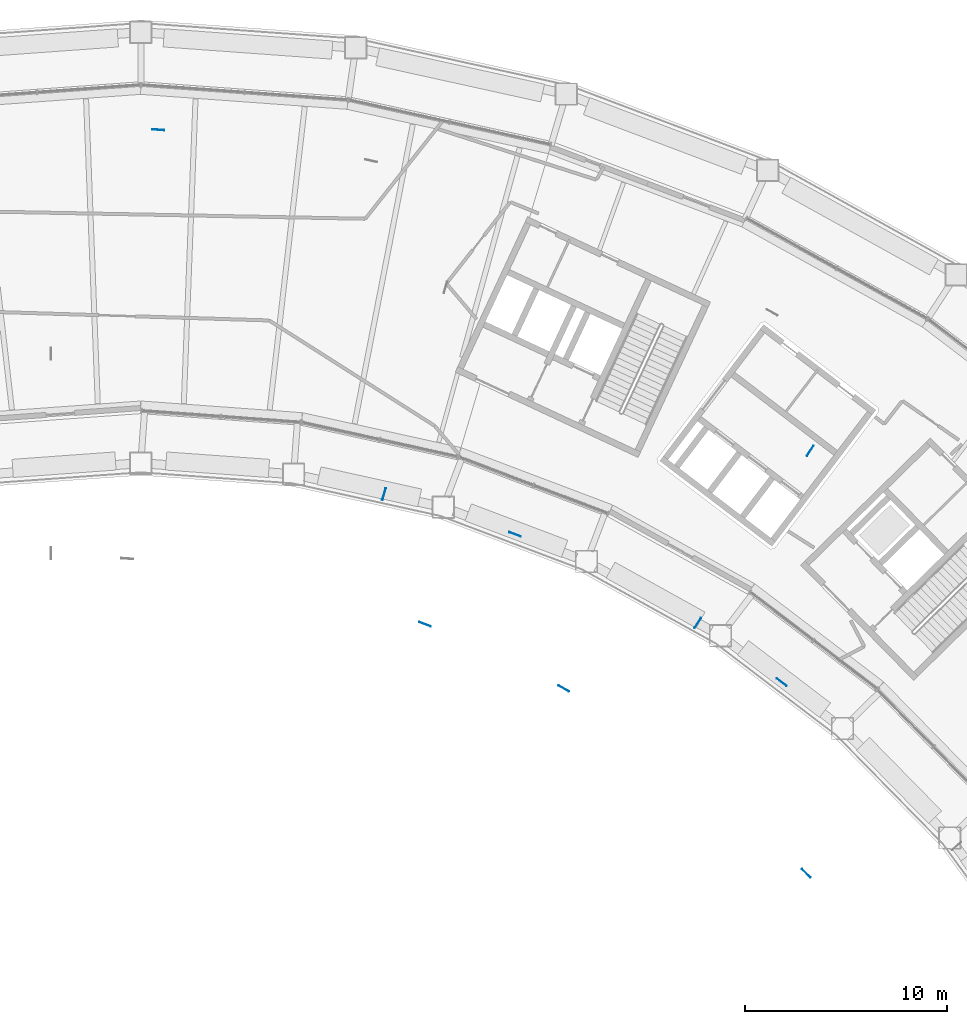
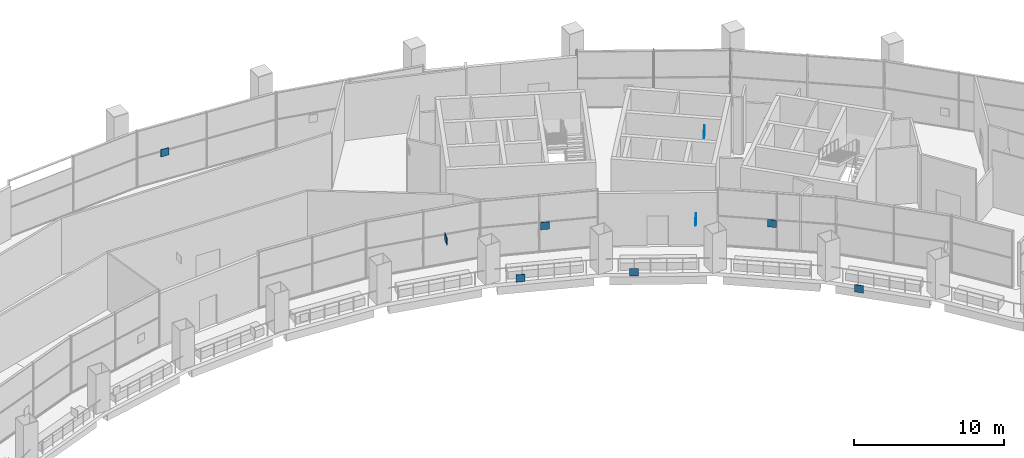
# One storey, part 23 of 28: 9 discrete accessories.
"""IFC4 building model written with IfcOpenShell, lengths in metres."""

import ifcopenshell
import ifcopenshell.guid

model = None  # the IFC model being written
_history = None  # IfcOwnerHistory: only IFC2X3 demands one
_inside = {}  # id of a spatial element -> (the spatial element, [elements in it])
_under = {}  # id of a project, library or spatial element -> (it, [spatial elements below it])
_declared = {}  # id of a project -> (the project, [libraries it declares])
_typed = {}  # id of a type object -> (the type object, [elements of that type])
_made_of = {}  # id of a material, layer set ... -> (it, [elements and type objects made of it])


def new_model(schema):
    """Start an empty IFC model of exactly this schema.

    Asked for "IFC4X3", IfcOpenShell would pick the latest addendum, in which some entities
    have other attributes; the version numbers below select the first issue.
    IFC2X3 requires an IfcOwnerHistory on every rooted entity: one is made here for all.
    """
    global model, _history
    if schema == "IFC4X3":
        model = ifcopenshell.file(schema_version=(4, 3, 0, 0))
    else:
        model = ifcopenshell.file(schema=schema)
    _inside.clear()
    _under.clear()
    _declared.clear()
    _typed.clear()
    _made_of.clear()
    _history = None
    if model.schema == "IFC2X3":
        org = make("IfcOrganization", Name="unknown")
        user = make(
            "IfcPersonAndOrganization",
            ThePerson=make("IfcPerson", FamilyName="unknown"),
            TheOrganization=org,
        )
        app = make(
            "IfcApplication",
            ApplicationDeveloper=org,
            Version="unknown",
            ApplicationFullName="unknown",
            ApplicationIdentifier="unknown",
        )
        _history = make(
            "IfcOwnerHistory",
            OwningUser=user,
            OwningApplication=app,
            ChangeAction="ADDED",
            CreationDate=0,
        )
    return model


def make(cls, **values):
    """One entity of the class cls with the attributes given. An attribute that is None is left unset."""
    return model.create_entity(
        cls, **{name: value for name, value in values.items() if value is not None}
    )


def rooted(cls, **values):
    """An entity with a GlobalId (a new one), such as an element, a storey or a relation."""
    return make(cls, GlobalId=ifcopenshell.guid.new(), OwnerHistory=_history, **values)


def si_unit(unit_type, name, prefix=None):
    """IfcSIUnit, for example si_unit("LENGTHUNIT", "METRE", prefix="MILLI")."""
    return make("IfcSIUnit", UnitType=unit_type, Prefix=prefix, Name=name)


def assignment(units):
    """IfcUnitAssignment: the units of a project."""
    return None if units is None else make("IfcUnitAssignment", Units=units)


def point(xyz):
    """IfcCartesianPoint."""
    return None if xyz is None else make("IfcCartesianPoint", Coordinates=xyz)


def direction(xyz):
    """IfcDirection."""
    return None if xyz is None else make("IfcDirection", DirectionRatios=xyz)


def frame(location, z_axis=None, x_axis=None):
    """IfcAxis2Placement3D, a coordinate frame: its origin and axes. An axis left out is left unset."""
    return make(
        "IfcAxis2Placement3D",
        Location=point(location),
        Axis=direction(z_axis),
        RefDirection=direction(x_axis),
    )


def frame_2d(location, x_axis=None):
    """IfcAxis2Placement2D, a coordinate frame in the plane: its origin and x axis."""
    return make(
        "IfcAxis2Placement2D", Location=point(location), RefDirection=direction(x_axis)
    )


def origin():
    """The frame at (0, 0, 0) with its axes left unset."""
    return frame((0.0, 0.0, 0.0))


def origin_2d():
    """The frame at (0, 0) in the plane with its x axis left unset."""
    return frame_2d((0.0, 0.0))


def place(relative_to, where):
    """IfcLocalPlacement: puts the frame where relative to a parent placement (None: the world)."""
    return make(
        "IfcLocalPlacement", PlacementRelTo=relative_to, RelativePlacement=where
    )


def context(
    kind, dimensions, precision=None, world=None, true_north=None, identifier=None
):
    """IfcGeometricRepresentationContext, for example the 3D "Model" context."""
    return make(
        "IfcGeometricRepresentationContext",
        ContextIdentifier=identifier,
        ContextType=kind,
        CoordinateSpaceDimension=dimensions,
        Precision=precision,
        WorldCoordinateSystem=world,
        TrueNorth=true_north,
    )


def subcontext(parent, identifier, kind, view, scale=None):
    """IfcGeometricRepresentationSubContext, for example "Body" below "Model"."""
    return make(
        "IfcGeometricRepresentationSubContext",
        ContextIdentifier=identifier,
        ContextType=kind,
        ParentContext=parent,
        TargetScale=scale,
        TargetView=view,
    )


def project(units=None, contexts=None):
    """IfcProject with its units and contexts."""
    return rooted(
        "IfcProject",
        Name="project",
        RepresentationContexts=contexts,
        UnitsInContext=assignment(units),
    )


def spatial(cls, under=None, at=None, **own):
    """A site, building, storey or space (cls), placed at a placement, below another one or the project."""
    s = rooted(cls, ObjectPlacement=at, **own)
    if under is not None:
        _under.setdefault(under.id(), (under, []))[1].append(s)
    return s


def profile(cls, at=None, kind="AREA", **sizes):
    """A parametric profile (cls). Its sizes go by their IFC names, for example OverallWidth=200.0."""
    return make(cls, ProfileType=kind, Position=at, **sizes)


def rectangle(**sizes):
    """IfcRectangleProfileDef."""
    return profile("IfcRectangleProfileDef", **sizes)


def extrude(swept, where, along, depth):
    """IfcExtrudedAreaSolid: the profile swept, set in the frame where, extruded along a direction by depth."""
    return make(
        "IfcExtrudedAreaSolid",
        SweptArea=swept,
        Position=where,
        ExtrudedDirection=direction(along),
        Depth=depth,
    )


def shape(context_of_items, identifier, shape_type, items):
    """IfcShapeRepresentation: the items that make up one representation, for example the "Body"."""
    return make(
        "IfcShapeRepresentation",
        ContextOfItems=context_of_items,
        RepresentationIdentifier=identifier,
        RepresentationType=shape_type,
        Items=items,
    )


def material(Name=None, Category=None):
    """IfcMaterial."""
    return make("IfcMaterial", Name=Name, Category=Category)


def made_of(thing, what):
    """Note that an element or type object is made of a material, layer set ...; save() writes the relation."""
    if what is not None:
        _made_of.setdefault(what.id(), (what, []))[1].append(thing)
    return thing


def type_object(cls, material=None, **own):
    """A type object (cls), such as IfcWallType, which elements share."""
    return made_of(rooted(cls, **own), material)


def element(
    cls,
    number,
    at=None,
    inside=None,
    cuts=None,
    type_object=None,
    material=None,
    context=None,
    identifier="Body",
    shape_type=None,
    held_by="IfcProductDefinitionShape",
    body=None,
    shapes=None,
    **own,
):
    """One element of the class cls, such as IfcWall. Its Tag is "e" and its number.

    at: its placement. inside: the storey or other place that contains it. cuts: it is an
    opening in that element (IfcRelVoidsElement). A single representation is given by context,
    identifier, shape_type and body (its items); several are given by shapes. held_by: the class
    of the entity that holds the representations. save() writes the other relations.
    """
    e = rooted(cls, Tag="e%d" % number, ObjectPlacement=at, **own)
    if body is not None:
        shapes = [shape(context, identifier, shape_type, body)]
    if shapes is not None:
        e.Representation = make(held_by, Representations=shapes)
    if inside is not None:
        _inside.setdefault(inside.id(), (inside, []))[1].append(e)
    if cuts is not None:
        rooted(
            "IfcRelVoidsElement", RelatingBuildingElement=cuts, RelatedOpeningElement=e
        )
    if type_object is not None:
        _typed.setdefault(type_object.id(), (type_object, []))[1].append(e)
    return made_of(e, material)


def aggregate(whole, parts):
    """IfcRelAggregates: a whole, such as a stair, and the parts it consists of."""
    return rooted("IfcRelAggregates", RelatingObject=whole, RelatedObjects=parts)


def save(model, path):
    """Write the relations noted so far, then the file.

    IfcRelAggregates (storeys below a building ...), IfcRelContainedInSpatialStructure (elements
    in a storey), IfcRelDefinesByType, IfcRelAssociatesMaterial and IfcRelDeclares: one each for
    every whole, place, type object, material and project.
    """
    for whole, parts in _under.values():
        aggregate(whole, parts)
    for where, things in _inside.values():
        rooted(
            "IfcRelContainedInSpatialStructure",
            RelatedElements=things,
            RelatingStructure=where,
        )
    for kind, things in _typed.values():
        rooted("IfcRelDefinesByType", RelatedObjects=things, RelatingType=kind)
    for what, things in _made_of.values():
        rooted("IfcRelAssociatesMaterial", RelatedObjects=things, RelatingMaterial=what)
    for by, libraries in _declared.values():
        rooted("IfcRelDeclares", RelatingContext=by, RelatedDefinitions=libraries)
    model.write(path)


model = new_model("IFC4")

# Units and contexts
model_context = context("Model", 3, precision=1e-05, world=origin(), true_north=direction((0.0, 1.0)))
body_context = subcontext(model_context, "Body", "Model", "MODEL_VIEW")
ifc_project = project(units=[si_unit("LENGTHUNIT", "METRE"), si_unit("AREAUNIT", "SQUARE_METRE"), si_unit("VOLUMEUNIT", "CUBIC_METRE"), si_unit("PLANEANGLEUNIT", "RADIAN"), si_unit("MASSUNIT", "GRAM", prefix="KILO")], contexts=[model_context])

# Site, building, storey
site_placement = place(None, origin())
site = spatial("IfcSite", under=ifc_project, at=site_placement, CompositionType="ELEMENT")
building_placement = place(site_placement, origin())
building = spatial("IfcBuilding", under=site, at=building_placement, Name="Tuul Gate Civic Tower", CompositionType="ELEMENT")
storey_placement = place(building_placement, frame((0.0, 0.0, 128.699951171875)))
storey = spatial("IfcBuildingStorey", under=building, at=storey_placement, Name="Sky garden level 1", CompositionType="ELEMENT", Elevation=128.699951171875)

# Discrete accessories
ifc_material = material(Name="Steel S355", Category="steel")
discrete_accessory_type = type_object("IfcDiscreteAccessoryType", Name="Gusset plate", PredefinedType="BRACKET", material=ifc_material)
for number, where, z_axis, x_axis, name in (
    (1, (37.420166015625, -15.588623046875, 3.59619140625), (0.0, 0.0, 1.0), (0.546710516181, 0.837321689375, 0.0), "Gusset plate"),
    (2, (21.878173828125, -9.204833984375, 3.5966796875), (0.0, 0.0, 1.0), (0.285212112775, 0.958464423297, 0.0), "Gusset plate"),
    (3, (42.99072265625, -7.056884765625, 3.5966796875), (0.0, 0.0, 1.0), (0.546710516181, 0.837321689375, 0.0), "Gusset plate"),
    (4, (10.698486328125, 8.845947265625, 3.5966796875), (0.0, 0.0, 1.0), (0.997382544793, -0.072305320295, 0.0), "Gusset plate"),
    (5, (41.575439453125, -18.517578125, 3.59619140625), (0.0, 0.0, 1.0), (-0.795664473939, 0.60573760401, 0.0), "Gusset plate"),
    (6, (42.798095703125, -27.98193359375, 3.59619140625), (0.0, 0.0, 1.0), (-0.699958144192, 0.714183867347, 0.0), "Gusset plate"),
    (7, (23.910400390625, -15.6494140625, 3.59619140625), (0.0, 0.0, 1.0), (-0.935367540469, 0.353677203444, 0.0), "Gusset plate"),
    (8, (30.781005859375, -18.83203125, 3.59619140625), (0.0, 0.0, 1.0), (-0.874653889523, 0.484747948467, 0.0), "Gusset plate"),
    (9, (28.364990234375, -11.194580078125, 3.59619140625), (0.0, 0.0, 1.0), (-0.935351057993, 0.35372079146, 0.0), "Gusset plate"),
):
    element("IfcDiscreteAccessory", number, at=place(storey_placement, frame(where, z_axis=z_axis, x_axis=x_axis)), inside=storey, type_object=discrete_accessory_type, Name=name, PredefinedType="BRACKET", context=body_context, shape_type="SweptSolid", body=[
        extrude(rectangle(XDim=0.60009765625, YDim=0.030029296875, at=origin_2d()), origin(), (0.0, 0.0, 1.0), 0.60009765625),
    ])

save(model, "model.ifc")
